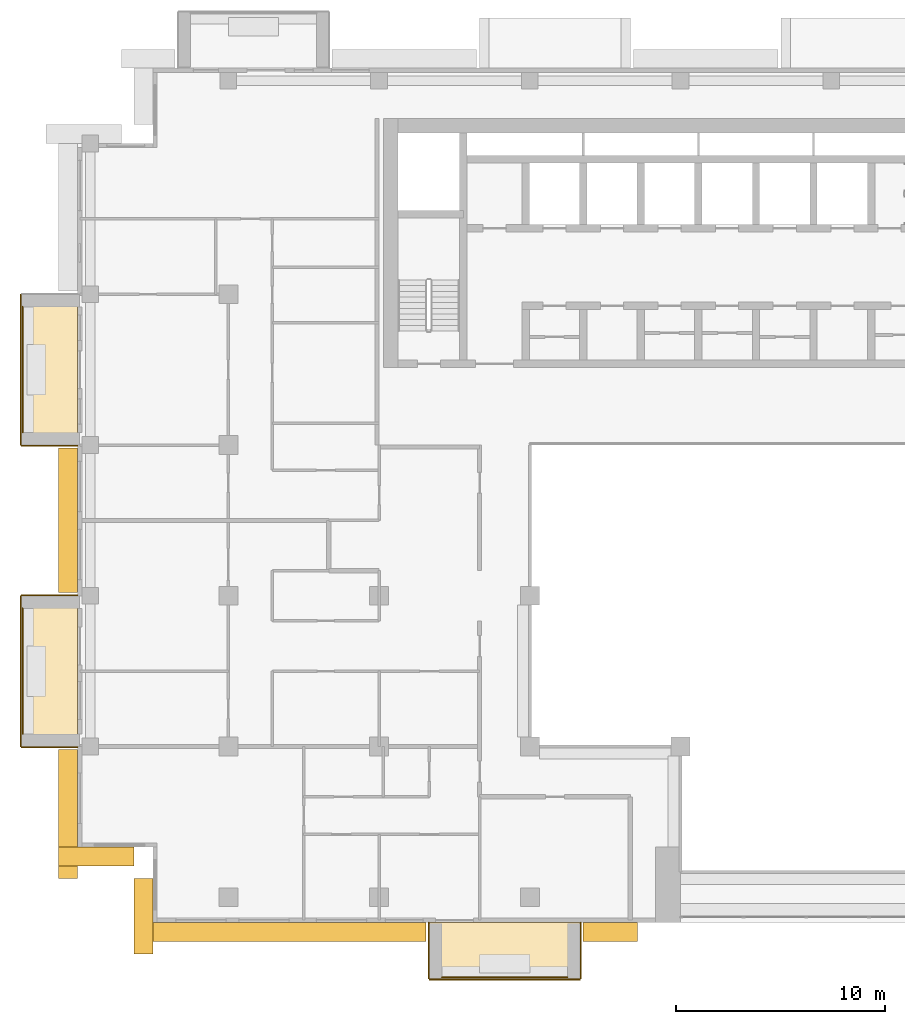
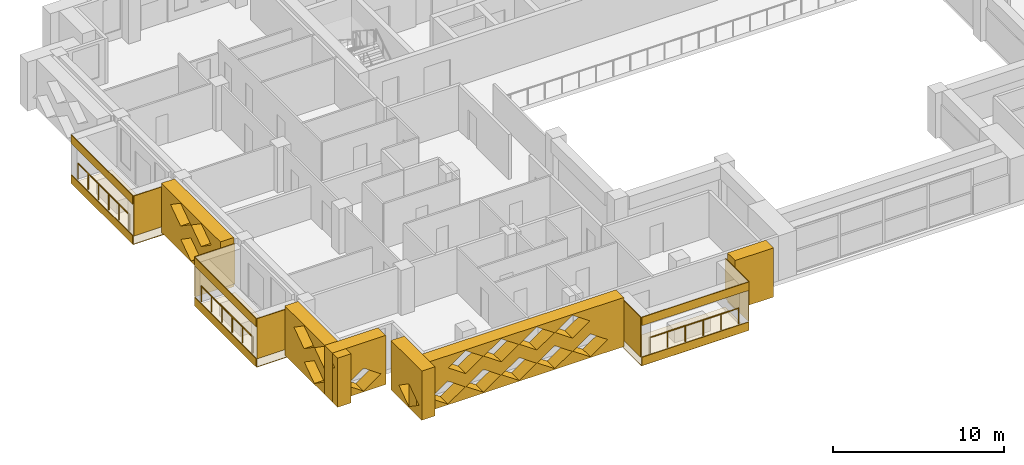
# One storey, part 14 of 20: 20 coverings, 3 railings.
"""IFC4 building model written with IfcOpenShell, lengths in metres."""

from ifc_helpers import new_model, si_unit, direction, frame, origin, origin_2d, place, context, subcontext, project, spatial, polyline, circle, outline, extrude, material, layer, layer_set, type_object, element, save


model = new_model("IFC4")

# Units and contexts
model_context = context("Model", 3, precision=1e-05, world=origin(), true_north=direction((0.0, 1.0)))
body_context = subcontext(model_context, "Body", "Model", "MODEL_VIEW")
ifc_project = project(units=[si_unit("LENGTHUNIT", "METRE"), si_unit("AREAUNIT", "SQUARE_METRE"), si_unit("VOLUMEUNIT", "CUBIC_METRE"), si_unit("PLANEANGLEUNIT", "RADIAN"), si_unit("MASSUNIT", "GRAM", prefix="KILO")], contexts=[model_context])

# Site, building, storey
site_placement = place(None, origin())
site = spatial("IfcSite", under=ifc_project, at=site_placement, CompositionType="ELEMENT")
building_placement = place(site_placement, origin())
building = spatial("IfcBuilding", under=site, at=building_placement, Name="Saffron Iwan Residences", CompositionType="ELEMENT")
storey_placement = place(building_placement, frame((0.0, 0.0, 174.5)))
storey = spatial("IfcBuildingStorey", under=building, at=storey_placement, Name="L46", CompositionType="ELEMENT", Elevation=174.5)

# Railings
ifc_material_1 = material(Name="Stainless steel 316", Category="steel")
railing_type = type_object("IfcRailingType", Name="BALCONY GUARD 1150", PredefinedType="GUARDRAIL", material=ifc_material_1)
for number, where, name in (
    (1, (11.77490234375, 69.0, 0.0), "Balcony guard L46 F8-0"),
    (2, (11.77490234375, 54.60009765625, 0.0), "Balcony guard L46 F8-1"),
):
    element("IfcRailing", number, at=place(storey_placement, frame(where)), inside=storey, type_object=railing_type, Name=name, PredefinedType="GUARDRAIL", context=body_context, shape_type="SweptSolid", body=[
        extrude(circle(Radius=0.02392578125, at=origin_2d()), frame((0.0, 0.0, 1.1259765625), z_axis=(0.0, -1.0, 0.0), x_axis=(1.0, 0.0, 0.0)), (0.0, 0.0, 1.0), 6.0),
        extrude(circle(Radius=0.02099609375, at=origin_2d()), origin(), (0.0, 0.0, 1.0), 1.101806640625),
        extrude(circle(Radius=0.02099609375, at=origin_2d()), frame((0.0, -1.199951171875, 0.0)), (0.0, 0.0, 1.0), 1.101806640625),
        extrude(circle(Radius=0.02099609375, at=origin_2d()), frame((0.0, -2.39990234375, 0.0)), (0.0, 0.0, 1.0), 1.101806640625),
        extrude(circle(Radius=0.02099609375, at=origin_2d()), frame((0.0, -3.60009765625, 0.0)), (0.0, 0.0, 1.0), 1.101806640625),
        extrude(circle(Radius=0.02099609375, at=origin_2d()), frame((0.0, -4.800048828125, 0.0)), (0.0, 0.0, 1.0), 1.101806640625),
        extrude(circle(Radius=0.02099609375, at=origin_2d()), frame((0.0, -6.0, 0.0)), (0.0, 0.0, 1.0), 1.101806640625),
    ])
railing_placement = place(storey_placement, frame((31.800048828125, 36.97509765625, 0.0)))
element("IfcRailing", 3, at=railing_placement, inside=storey, type_object=railing_type, Name="Balcony guard L46 11-0", PredefinedType="GUARDRAIL", context=body_context, shape_type="SweptSolid", body=[
    extrude(circle(Radius=0.02392578125, at=origin_2d()), frame((0.0, 0.0, 1.1259765625), z_axis=(1.0, 0.0, 0.0), x_axis=(0.0, 1.0, 0.0)), (0.0, 0.0, 1.0), 6.0),
    extrude(circle(Radius=0.02099609375, at=origin_2d()), origin(), (0.0, 0.0, 1.0), 1.101806640625),
    extrude(circle(Radius=0.02099609375, at=origin_2d()), frame((1.199951171875, 0.0, 0.0)), (0.0, 0.0, 1.0), 1.101806640625),
    extrude(circle(Radius=0.02099609375, at=origin_2d()), frame((2.39990234375, 0.0, 0.0)), (0.0, 0.0, 1.0), 1.101806640625),
    extrude(circle(Radius=0.02099609375, at=origin_2d()), frame((3.60009765625, 0.0, 0.0)), (0.0, 0.0, 1.0), 1.101806640625),
    extrude(circle(Radius=0.02099609375, at=origin_2d()), frame((4.800048828125, 0.0, 0.0)), (0.0, 0.0, 1.0), 1.101806640625),
    extrude(circle(Radius=0.02099609375, at=origin_2d()), frame((6.0, 0.0, 0.0)), (0.0, 0.0, 1.0), 1.101806640625),
])

# Coverings
ifc_material_2 = material(Name="Precast concrete C40/50 white painted", Category="concrete")
ifc_layer = layer(ifc_material_2, 0.050048828125)
ifc_layer_set = layer_set([ifc_layer], Name="Precast concrete C40/50 white painted")
covering_type_1 = type_object("IfcCoveringType", Name="FRAME SKIN PRECAST WHITE 50", PredefinedType="CLADDING", material=ifc_layer_set)
for number, where, name in (
    (4, (0.0, 0.0, -0.60009765625), "Frame skin slab edge L46 F8-0"),
    (5, (0.0, 0.0, 2.25), "Frame skin fascia L46 F8-0"),
):
    element("IfcCovering", number, at=place(storey_placement, frame(where)), inside=storey, type_object=covering_type_1, Name=name, PredefinedType="CLADDING", context=body_context, shape_type="SweptSolid", body=[
        extrude(outline(polyline([(11.64990234375, 69.60009765625), (11.64990234375, 62.39990234375), (11.699951171875, 62.39990234375), (11.699951171875, 69.60009765625), (11.64990234375, 69.60009765625)])), origin(), (0.0, 0.0, 1.0), 0.60009765625),
    ])
covering_1_placement = place(storey_placement, frame((0.0, 0.0, -0.64990234375)))
element("IfcCovering", 6, at=covering_1_placement, inside=storey, type_object=covering_type_1, Name="Frame skin soffit L46 F8-0", PredefinedType="CLADDING", context=body_context, shape_type="SweptSolid", body=[
    extrude(outline(polyline([(11.699951171875, 69.60009765625), (11.699951171875, 62.39990234375), (14.39990234375, 62.39990234375), (14.39990234375, 69.60009765625), (11.699951171875, 69.60009765625)])), origin(), (0.0, 0.0, 1.0), 0.0498046875),
])
covering_2_placement = place(storey_placement, origin())
element("IfcCovering", 7, at=covering_2_placement, inside=storey, type_object=covering_type_1, Name="Frame skin fin L46 F8-0b", PredefinedType="CLADDING", context=body_context, shape_type="SweptSolid", body=[
    extrude(outline(polyline([(11.699951171875, 62.39990234375), (11.699951171875, 62.35009765625), (14.39990234375, 62.35009765625), (14.39990234375, 62.39990234375), (11.699951171875, 62.39990234375)])), origin(), (0.0, 0.0, 1.0), 2.85009765625),
])
for number, where, name in (
    (8, (0.0, 0.0, -0.60009765625), "Frame skin slab edge L46 F8-1"),
    (9, (0.0, 0.0, 2.25), "Frame skin fascia L46 F8-1"),
):
    element("IfcCovering", number, at=place(storey_placement, frame(where)), inside=storey, type_object=covering_type_1, Name=name, PredefinedType="CLADDING", context=body_context, shape_type="SweptSolid", body=[
        extrude(outline(polyline([(11.64990234375, 55.199951171875), (11.64990234375, 48.0), (11.699951171875, 48.0), (11.699951171875, 55.199951171875), (11.64990234375, 55.199951171875)])), origin(), (0.0, 0.0, 1.0), 0.60009765625),
    ])
covering_3_placement = place(storey_placement, frame((0.0, 0.0, -0.64990234375)))
element("IfcCovering", 10, at=covering_3_placement, inside=storey, type_object=covering_type_1, Name="Frame skin soffit L46 F8-1", PredefinedType="CLADDING", context=body_context, shape_type="SweptSolid", body=[
    extrude(outline(polyline([(11.699951171875, 55.199951171875), (11.699951171875, 48.0), (14.39990234375, 48.0), (14.39990234375, 55.199951171875), (11.699951171875, 55.199951171875)])), origin(), (0.0, 0.0, 1.0), 0.0498046875),
])
covering_4_placement = place(storey_placement, origin())
element("IfcCovering", 11, at=covering_4_placement, inside=storey, type_object=covering_type_1, Name="Frame skin fin L46 F8-1a", PredefinedType="CLADDING", context=body_context, shape_type="SweptSolid", body=[
    extrude(outline(polyline([(11.699951171875, 55.25), (11.699951171875, 55.199951171875), (14.39990234375, 55.199951171875), (14.39990234375, 55.25), (11.699951171875, 55.25)])), origin(), (0.0, 0.0, 1.0), 2.85009765625),
])
covering_5_placement = place(storey_placement, origin())
element("IfcCovering", 12, at=covering_5_placement, inside=storey, type_object=covering_type_1, Name="Frame skin fin L46 F8-1b", PredefinedType="CLADDING", context=body_context, shape_type="SweptSolid", body=[
    extrude(outline(polyline([(11.699951171875, 48.0), (11.699951171875, 47.949951171875), (14.39990234375, 47.949951171875), (14.39990234375, 48.0), (11.699951171875, 48.0)])), origin(), (0.0, 0.0, 1.0), 2.85009765625),
])
for number, where, name in (
    (13, (0.0, 0.0, -0.60009765625), "Frame skin slab edge L46 11-0"),
    (14, (0.0, 0.0, 2.25), "Frame skin fascia L46 11-0"),
):
    element("IfcCovering", number, at=place(storey_placement, frame(where)), inside=storey, type_object=covering_type_1, Name=name, PredefinedType="CLADDING", context=body_context, shape_type="SweptSolid", body=[
        extrude(outline(polyline([(31.199951171875, 36.85009765625), (38.39990234375, 36.85009765625), (38.39990234375, 36.89990234375), (31.199951171875, 36.89990234375), (31.199951171875, 36.85009765625)])), origin(), (0.0, 0.0, 1.0), 0.60009765625),
    ])
covering_6_placement = place(storey_placement, frame((0.0, 0.0, -0.64990234375)))
element("IfcCovering", 15, at=covering_6_placement, inside=storey, type_object=covering_type_1, Name="Frame skin soffit L46 11-0", PredefinedType="CLADDING", context=body_context, shape_type="SweptSolid", body=[
    extrude(outline(polyline([(31.199951171875, 36.89990234375), (38.39990234375, 36.89990234375), (38.39990234375, 39.60009765625), (31.199951171875, 39.60009765625), (31.199951171875, 36.89990234375)])), origin(), (0.0, 0.0, 1.0), 0.0498046875),
])
covering_7_placement = place(storey_placement, origin())
element("IfcCovering", 16, at=covering_7_placement, inside=storey, type_object=covering_type_1, Name="Frame skin fin L46 11-0a", PredefinedType="CLADDING", context=body_context, shape_type="SweptSolid", body=[
    extrude(outline(polyline([(31.14990234375, 36.89990234375), (31.199951171875, 36.89990234375), (31.199951171875, 39.60009765625), (31.14990234375, 39.60009765625), (31.14990234375, 36.89990234375)])), origin(), (0.0, 0.0, 1.0), 2.85009765625),
])
covering_8_placement = place(storey_placement, origin())
element("IfcCovering", 17, at=covering_8_placement, inside=storey, type_object=covering_type_1, Name="Frame skin fin L46 11-0b", PredefinedType="CLADDING", context=body_context, shape_type="SweptSolid", body=[
    extrude(outline(polyline([(38.39990234375, 36.89990234375), (38.449951171875, 36.89990234375), (38.449951171875, 39.60009765625), (38.39990234375, 39.60009765625), (38.39990234375, 36.89990234375)])), origin(), (0.0, 0.0, 1.0), 2.85009765625),
])
ifc_material_3 = material(Name="Precast concrete C40/50", Category="concrete")
covering_type_2 = type_object("IfcCoveringType", Name="OUTER SKIN LATTICE SCREEN", PredefinedType="CLADDING", material=ifc_material_3)
covering_9_placement = place(storey_placement, frame((14.39990234375, 62.25, -0.300048828125), z_axis=(-1.0, 0.0, 0.0), x_axis=(0.0, -1.0, 0.0)))
element("IfcCovering", 18, at=covering_9_placement, inside=storey, type_object=covering_type_2, Name="OUTER SKIN lattice screen L46 F8.1", PredefinedType="CLADDING", context=body_context, shape_type="SweptSolid", body=[
    extrude(outline(polyline([(0.0, 0.0), (6.89990234375, 0.0), (6.89990234375, 3.5), (0.0, 3.5), (0.0, 0.0)]), holes=[polyline([(2.27001953125, 0.875), (3.449951171875, 0.06005859375), (4.6298828125, 0.875), (3.449951171875, 1.68994140625), (2.27001953125, 0.875)]), polyline([(1.070068359375, 2.625), (2.25, 1.81005859375), (3.429931640625, 2.625), (2.25, 3.43994140625), (1.070068359375, 2.625)]), polyline([(3.469970703125, 2.625), (4.64990234375, 1.81005859375), (5.830078125, 2.625), (4.64990234375, 3.43994140625), (3.469970703125, 2.625)])]), origin(), (0.0, 0.0, 1.0), 0.89990234375),
])
covering_10_placement = place(storey_placement, frame((14.39990234375, 47.85009765625, -0.300048828125), z_axis=(-1.0, 0.0, 0.0), x_axis=(0.0, -1.0, 0.0)))
element("IfcCovering", 19, at=covering_10_placement, inside=storey, type_object=covering_type_2, Name="OUTER SKIN lattice screen L46 F8.2", PredefinedType="CLADDING", context=body_context, shape_type="SweptSolid", body=[
    extrude(outline(polyline([(0.0, 0.0), (6.14990234375, 0.0), (6.14990234375, 3.5), (0.0, 3.5), (0.0, 0.0)]), holes=[polyline([(2.27001953125, 0.875), (3.449951171875, 0.06005859375), (4.6298828125, 0.875), (3.449951171875, 1.68994140625), (2.27001953125, 0.875)]), polyline([(1.070068359375, 2.625), (2.25, 1.81005859375), (3.429931640625, 2.625), (2.25, 3.43994140625), (1.070068359375, 2.625)]), polyline([(3.469970703125, 2.625), (4.64990234375, 1.81005859375), (5.830078125, 2.625), (4.64990234375, 3.43994140625), (3.469970703125, 2.625)])]), origin(), (0.0, 0.0, 1.0), 0.89990234375),
])
for number, where, z_axis, x_axis, name in (
    (20, (13.5, 43.199951171875, -0.300048828125), (0.0, -1.0, 0.0), (1.0, 0.0, 0.0), "OUTER SKIN lattice screen L46 F9.0"),
    (21, (18.0, 41.699951171875, -0.300048828125), (-1.0, 0.0, 0.0), (0.0, -1.0, 0.0), "OUTER SKIN lattice screen L46 F10.0"),
):
    element("IfcCovering", number, at=place(storey_placement, frame(where, z_axis=z_axis, x_axis=x_axis)), inside=storey, type_object=covering_type_2, Name=name, PredefinedType="CLADDING", context=body_context, shape_type="SweptSolid", body=[
        extrude(outline(polyline([(0.0, 0.0), (3.60009765625, 0.0), (3.60009765625, 3.5), (0.0, 3.5), (0.0, 0.0)]), holes=[polyline([(0.919921875, 0.875), (2.10009765625, 0.06005859375), (3.280029296875, 0.875), (2.10009765625, 1.68994140625), (0.919921875, 0.875)])]), origin(), (0.0, 0.0, 1.0), 0.89990234375),
    ])
covering_11_placement = place(storey_placement, frame((17.10009765625, 39.60009765625, -0.300048828125), z_axis=(0.0, -1.0, 0.0), x_axis=(1.0, 0.0, 0.0)))
element("IfcCovering", 22, at=covering_11_placement, inside=storey, type_object=covering_type_2, Name="OUTER SKIN lattice screen L46 F11.0", PredefinedType="CLADDING", context=body_context, shape_type="SweptSolid", body=[
    extrude(outline(polyline([(0.0, 0.0), (13.949951171875, 0.0), (13.949951171875, 3.5), (0.0, 3.5), (0.0, 0.0)]), holes=[polyline([(0.919921875, 0.875), (2.10009765625, 0.06005859375), (3.280029296875, 0.875), (2.10009765625, 1.68994140625), (0.919921875, 0.875)]), polyline([(3.320068359375, 0.875), (4.5, 0.06005859375), (5.679931640625, 0.875), (4.5, 1.68994140625), (3.320068359375, 0.875)]), polyline([(5.719970703125, 0.875), (6.89990234375, 0.06005859375), (8.080078125, 0.875), (6.89990234375, 1.68994140625), (5.719970703125, 0.875)]), polyline([(8.1201171875, 0.875), (9.300048828125, 0.06005859375), (10.47998046875, 0.875), (9.300048828125, 1.68994140625), (8.1201171875, 0.875)]), polyline([(10.52001953125, 0.875), (11.699951171875, 0.06005859375), (12.8798828125, 0.875), (11.699951171875, 1.68994140625), (10.52001953125, 0.875)]), polyline([(2.1201171875, 2.625), (3.300048828125, 1.81005859375), (4.47998046875, 2.625), (3.300048828125, 3.43994140625), (2.1201171875, 2.625)]), polyline([(4.52001953125, 2.625), (5.699951171875, 1.81005859375), (6.8798828125, 2.625), (5.699951171875, 3.43994140625), (4.52001953125, 2.625)]), polyline([(6.919921875, 2.625), (8.10009765625, 1.81005859375), (9.280029296875, 2.625), (8.10009765625, 3.43994140625), (6.919921875, 2.625)]), polyline([(9.320068359375, 2.625), (10.5, 1.81005859375), (11.679931640625, 2.625), (10.5, 3.43994140625), (9.320068359375, 2.625)])]), origin(), (0.0, 0.0, 1.0), 0.900146484375),
])
covering_12_placement = place(storey_placement, frame((38.550048828125, 39.60009765625, -0.300048828125), z_axis=(0.0, -1.0, 0.0), x_axis=(1.0, 0.0, 0.0)))
element("IfcCovering", 23, at=covering_12_placement, inside=storey, type_object=covering_type_2, Name="OUTER SKIN lattice screen L46 F11.1", PredefinedType="CLADDING", context=body_context, shape_type="SweptSolid", body=[
    extrude(outline(polyline([(0.0, 0.0), (2.60009765625, 0.0), (2.60009765625, 3.5), (0.0, 3.5), (0.0, 0.0)])), origin(), (0.0, 0.0, 1.0), 0.900146484375),
])

save(model, "model.ifc")
